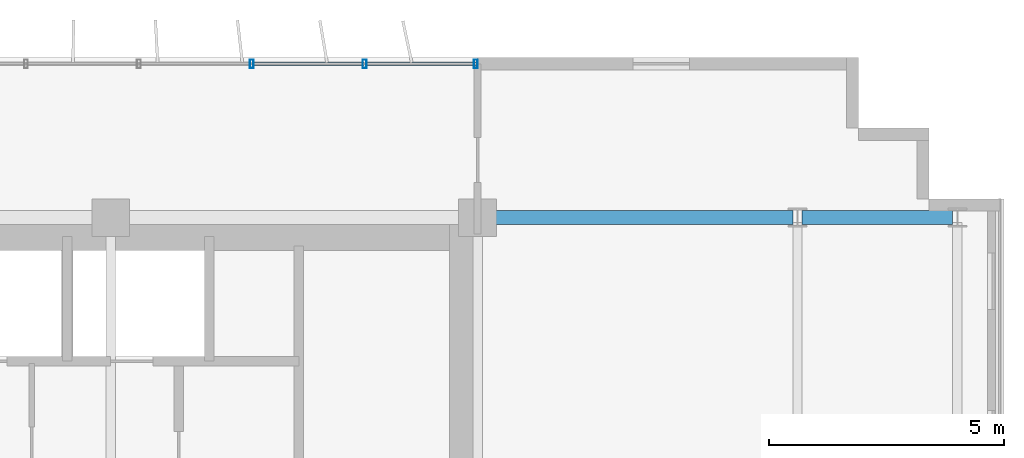
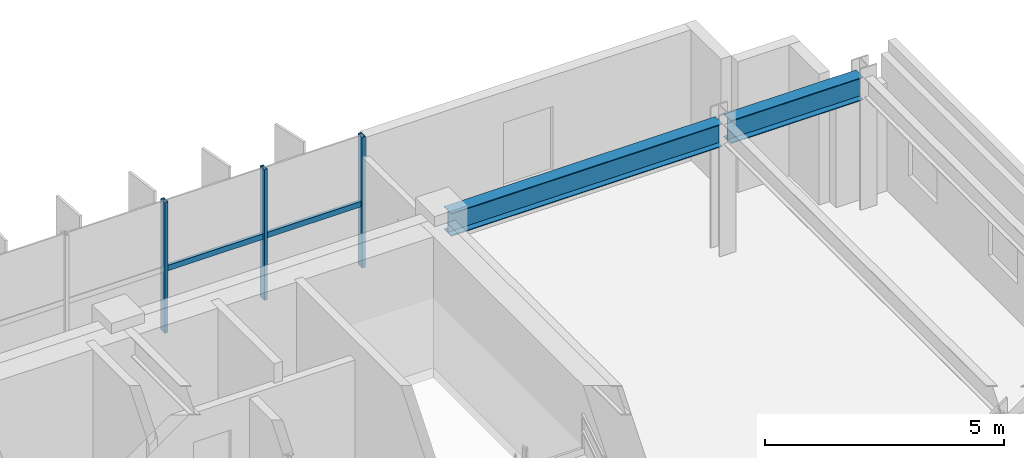
# One storey, part 11 of 22: 5 members, 2 beams, 1 element without a shape of its own.
"""IFC4 building model written with IfcOpenShell, lengths in metres."""

import ifcopenshell
import ifcopenshell.guid

model = None  # the IFC model being written
_history = None  # IfcOwnerHistory: only IFC2X3 demands one
_inside = {}  # id of a spatial element -> (the spatial element, [elements in it])
_under = {}  # id of a project, library or spatial element -> (it, [spatial elements below it])
_declared = {}  # id of a project -> (the project, [libraries it declares])
_typed = {}  # id of a type object -> (the type object, [elements of that type])
_made_of = {}  # id of a material, layer set ... -> (it, [elements and type objects made of it])


def new_model(schema):
    """Start an empty IFC model of exactly this schema.

    Asked for "IFC4X3", IfcOpenShell would pick the latest addendum, in which some entities
    have other attributes; the version numbers below select the first issue.
    IFC2X3 requires an IfcOwnerHistory on every rooted entity: one is made here for all.
    """
    global model, _history
    if schema == "IFC4X3":
        model = ifcopenshell.file(schema_version=(4, 3, 0, 0))
    else:
        model = ifcopenshell.file(schema=schema)
    _inside.clear()
    _under.clear()
    _declared.clear()
    _typed.clear()
    _made_of.clear()
    _history = None
    if model.schema == "IFC2X3":
        org = make("IfcOrganization", Name="unknown")
        user = make(
            "IfcPersonAndOrganization",
            ThePerson=make("IfcPerson", FamilyName="unknown"),
            TheOrganization=org,
        )
        app = make(
            "IfcApplication",
            ApplicationDeveloper=org,
            Version="unknown",
            ApplicationFullName="unknown",
            ApplicationIdentifier="unknown",
        )
        _history = make(
            "IfcOwnerHistory",
            OwningUser=user,
            OwningApplication=app,
            ChangeAction="ADDED",
            CreationDate=0,
        )
    return model


def make(cls, **values):
    """One entity of the class cls with the attributes given. An attribute that is None is left unset."""
    return model.create_entity(
        cls, **{name: value for name, value in values.items() if value is not None}
    )


def rooted(cls, **values):
    """An entity with a GlobalId (a new one), such as an element, a storey or a relation."""
    return make(cls, GlobalId=ifcopenshell.guid.new(), OwnerHistory=_history, **values)


def si_unit(unit_type, name, prefix=None):
    """IfcSIUnit, for example si_unit("LENGTHUNIT", "METRE", prefix="MILLI")."""
    return make("IfcSIUnit", UnitType=unit_type, Prefix=prefix, Name=name)


def assignment(units):
    """IfcUnitAssignment: the units of a project."""
    return None if units is None else make("IfcUnitAssignment", Units=units)


def point(xyz):
    """IfcCartesianPoint."""
    return None if xyz is None else make("IfcCartesianPoint", Coordinates=xyz)


def direction(xyz):
    """IfcDirection."""
    return None if xyz is None else make("IfcDirection", DirectionRatios=xyz)


def frame(location, z_axis=None, x_axis=None):
    """IfcAxis2Placement3D, a coordinate frame: its origin and axes. An axis left out is left unset."""
    return make(
        "IfcAxis2Placement3D",
        Location=point(location),
        Axis=direction(z_axis),
        RefDirection=direction(x_axis),
    )


def frame_2d(location, x_axis=None):
    """IfcAxis2Placement2D, a coordinate frame in the plane: its origin and x axis."""
    return make(
        "IfcAxis2Placement2D", Location=point(location), RefDirection=direction(x_axis)
    )


def origin():
    """The frame at (0, 0, 0) with its axes left unset."""
    return frame((0.0, 0.0, 0.0))


def origin_2d():
    """The frame at (0, 0) in the plane with its x axis left unset."""
    return frame_2d((0.0, 0.0))


def place(relative_to, where):
    """IfcLocalPlacement: puts the frame where relative to a parent placement (None: the world)."""
    return make(
        "IfcLocalPlacement", PlacementRelTo=relative_to, RelativePlacement=where
    )


def context(
    kind, dimensions, precision=None, world=None, true_north=None, identifier=None
):
    """IfcGeometricRepresentationContext, for example the 3D "Model" context."""
    return make(
        "IfcGeometricRepresentationContext",
        ContextIdentifier=identifier,
        ContextType=kind,
        CoordinateSpaceDimension=dimensions,
        Precision=precision,
        WorldCoordinateSystem=world,
        TrueNorth=true_north,
    )


def subcontext(parent, identifier, kind, view, scale=None):
    """IfcGeometricRepresentationSubContext, for example "Body" below "Model"."""
    return make(
        "IfcGeometricRepresentationSubContext",
        ContextIdentifier=identifier,
        ContextType=kind,
        ParentContext=parent,
        TargetScale=scale,
        TargetView=view,
    )


def project(units=None, contexts=None):
    """IfcProject with its units and contexts."""
    return rooted(
        "IfcProject",
        Name="project",
        RepresentationContexts=contexts,
        UnitsInContext=assignment(units),
    )


def spatial(cls, under=None, at=None, **own):
    """A site, building, storey or space (cls), placed at a placement, below another one or the project."""
    s = rooted(cls, ObjectPlacement=at, **own)
    if under is not None:
        _under.setdefault(under.id(), (under, []))[1].append(s)
    return s


def profile(cls, at=None, kind="AREA", **sizes):
    """A parametric profile (cls). Its sizes go by their IFC names, for example OverallWidth=200.0."""
    return make(cls, ProfileType=kind, Position=at, **sizes)


def hollow_rectangle(**sizes):
    """IfcRectangleHollowProfileDef."""
    return profile("IfcRectangleHollowProfileDef", **sizes)


def i_section(**sizes):
    """IfcIShapeProfileDef."""
    return profile("IfcIShapeProfileDef", **sizes)


def extrude(swept, where, along, depth):
    """IfcExtrudedAreaSolid: the profile swept, set in the frame where, extruded along a direction by depth."""
    return make(
        "IfcExtrudedAreaSolid",
        SweptArea=swept,
        Position=where,
        ExtrudedDirection=direction(along),
        Depth=depth,
    )


def shape(context_of_items, identifier, shape_type, items):
    """IfcShapeRepresentation: the items that make up one representation, for example the "Body"."""
    return make(
        "IfcShapeRepresentation",
        ContextOfItems=context_of_items,
        RepresentationIdentifier=identifier,
        RepresentationType=shape_type,
        Items=items,
    )


def source(mapping_origin, context_of_items, identifier, shape_type, items):
    """IfcRepresentationMap: a shape defined once, which mapped items show again and again."""
    return make(
        "IfcRepresentationMap",
        MappingOrigin=mapping_origin,
        MappedRepresentation=shape(context_of_items, identifier, shape_type, items),
    )


def transform(
    local_origin,
    x_axis=None,
    y_axis=None,
    z_axis=None,
    scale=None,
    scale2=None,
    scale3=None,
    uniform=True,
):
    """IfcCartesianTransformationOperator3D, or its non-uniform kind. x_axis, y_axis, z_axis: its Axis1, 2, 3."""
    if uniform:
        return make(
            "IfcCartesianTransformationOperator3D",
            Axis1=direction(x_axis),
            Axis2=direction(y_axis),
            LocalOrigin=point(local_origin),
            Scale=scale,
            Axis3=direction(z_axis),
        )
    return make(
        "IfcCartesianTransformationOperator3DnonUniform",
        Axis1=direction(x_axis),
        Axis2=direction(y_axis),
        LocalOrigin=point(local_origin),
        Scale=scale,
        Axis3=direction(z_axis),
        Scale2=scale2,
        Scale3=scale3,
    )


def mapped(mapping_source, mapping_target):
    """IfcMappedItem: shows the shape of a source again, moved by a transform."""
    return make(
        "IfcMappedItem", MappingSource=mapping_source, MappingTarget=mapping_target
    )


def material(Name=None, Category=None):
    """IfcMaterial."""
    return make("IfcMaterial", Name=Name, Category=Category)


def material_profile(
    of_material, cross_section, Name=None, Category=None, Priority=None
):
    """IfcMaterialProfile: a cross section and its material."""
    return make(
        "IfcMaterialProfile",
        Name=Name,
        Material=of_material,
        Profile=cross_section,
        Priority=Priority,
        Category=Category,
    )


def profile_set(profiles, Name=None, composite=None):
    """IfcMaterialProfileSet."""
    return make(
        "IfcMaterialProfileSet",
        Name=Name,
        MaterialProfiles=profiles,
        CompositeProfile=composite,
    )


def made_of(thing, what):
    """Note that an element or type object is made of a material, layer set ...; save() writes the relation."""
    if what is not None:
        _made_of.setdefault(what.id(), (what, []))[1].append(thing)
    return thing


def type_object(cls, material=None, **own):
    """A type object (cls), such as IfcWallType, which elements share."""
    return made_of(rooted(cls, **own), material)


def element(
    cls,
    number,
    at=None,
    inside=None,
    cuts=None,
    type_object=None,
    material=None,
    context=None,
    identifier="Body",
    shape_type=None,
    held_by="IfcProductDefinitionShape",
    body=None,
    shapes=None,
    **own,
):
    """One element of the class cls, such as IfcWall. Its Tag is "e" and its number.

    at: its placement. inside: the storey or other place that contains it. cuts: it is an
    opening in that element (IfcRelVoidsElement). A single representation is given by context,
    identifier, shape_type and body (its items); several are given by shapes. held_by: the class
    of the entity that holds the representations. save() writes the other relations.
    """
    e = rooted(cls, Tag="e%d" % number, ObjectPlacement=at, **own)
    if body is not None:
        shapes = [shape(context, identifier, shape_type, body)]
    if shapes is not None:
        e.Representation = make(held_by, Representations=shapes)
    if inside is not None:
        _inside.setdefault(inside.id(), (inside, []))[1].append(e)
    if cuts is not None:
        rooted(
            "IfcRelVoidsElement", RelatingBuildingElement=cuts, RelatedOpeningElement=e
        )
    if type_object is not None:
        _typed.setdefault(type_object.id(), (type_object, []))[1].append(e)
    return made_of(e, material)


def aggregate(whole, parts):
    """IfcRelAggregates: a whole, such as a stair, and the parts it consists of."""
    return rooted("IfcRelAggregates", RelatingObject=whole, RelatedObjects=parts)


def save(model, path):
    """Write the relations noted so far, then the file.

    IfcRelAggregates (storeys below a building ...), IfcRelContainedInSpatialStructure (elements
    in a storey), IfcRelDefinesByType, IfcRelAssociatesMaterial and IfcRelDeclares: one each for
    every whole, place, type object, material and project.
    """
    for whole, parts in _under.values():
        aggregate(whole, parts)
    for where, things in _inside.values():
        rooted(
            "IfcRelContainedInSpatialStructure",
            RelatedElements=things,
            RelatingStructure=where,
        )
    for kind, things in _typed.values():
        rooted("IfcRelDefinesByType", RelatedObjects=things, RelatingType=kind)
    for what, things in _made_of.values():
        rooted("IfcRelAssociatesMaterial", RelatedObjects=things, RelatingMaterial=what)
    for by, libraries in _declared.values():
        rooted("IfcRelDeclares", RelatingContext=by, RelatedDefinitions=libraries)
    model.write(path)


model = new_model("IFC4")

# Units and contexts
model_context = context("Model", 3, precision=1e-05, world=origin(), true_north=direction((0.0, 1.0)))
body_context = subcontext(model_context, "Body", "Model", "MODEL_VIEW")
ifc_project = project(units=[si_unit("LENGTHUNIT", "METRE"), si_unit("AREAUNIT", "SQUARE_METRE"), si_unit("VOLUMEUNIT", "CUBIC_METRE"), si_unit("PLANEANGLEUNIT", "RADIAN"), si_unit("MASSUNIT", "GRAM", prefix="KILO")], contexts=[model_context])

# Site, building, storey
site_placement = place(None, origin())
site = spatial("IfcSite", under=ifc_project, at=site_placement, CompositionType="ELEMENT")
building_placement = place(site_placement, origin())
building = spatial("IfcBuilding", under=site, at=building_placement, Name="Trelvane Seafront Commons", CompositionType="ELEMENT")
storey_placement = place(building_placement, frame((0.0, 0.0, 96.10009765625)))
storey = spatial("IfcBuildingStorey", under=building, at=storey_placement, Name="L24", CompositionType="ELEMENT", Elevation=96.10009765625)

# Beams
ifc_material_1 = material(Name="Steel SM355 (S355)", Category="steel")
ifc_material_profile_1 = material_profile(ifc_material_1, i_section(OverallWidth=0.300048828125, OverallDepth=0.587890625, WebThickness=0.011962890625, FlangeThickness=0.02001953125, at=origin_2d()), Name="H-588x300x12x20")
ifc_profile_set_1 = profile_set([ifc_material_profile_1], Name="Steel SM355 (S355)")
beam_type = type_object("IfcBeamType", Name="STR-BM-H588", PredefinedType="BEAM", material=ifc_profile_set_1)
shared_shape_1 = source(origin(), body_context, "Body", "SweptSolid", [
    extrude(i_section(OverallWidth=0.300048828125, OverallDepth=0.587890625, WebThickness=0.011962890625, FlangeThickness=0.02001953125, at=origin_2d()), origin(), (0.0, 0.0, 1.0), 3.199951171875),
])
beam_1_placement = place(storey_placement, frame((65.699951171875, 45.10009765625, 3.0458984375), z_axis=(1.0, 0.0, 0.0), x_axis=(0.0, 1.0, 0.0)))
element("IfcBeam", 1, at=beam_1_placement, inside=storey, type_object=beam_type, Name="L24 Primary Girder G-36", PredefinedType="BEAM", context=body_context, shape_type="MappedRepresentation", body=[
    mapped(shared_shape_1, transform((0.0, 0.0, 0.0), x_axis=(1.0, 0.0, 0.0), y_axis=(0.0, 1.0, 0.0), z_axis=(0.0, 0.0, 1.0), scale=1.0)),
])
shared_shape_2 = source(origin(), body_context, "Body", "SweptSolid", [
    extrude(i_section(OverallWidth=0.300048828125, OverallDepth=0.587890625, WebThickness=0.011962890625, FlangeThickness=0.02001953125, at=origin_2d()), origin(), (0.0, 0.0, 1.0), 6.550048828125),
])
beam_2_placement = place(storey_placement, frame((58.949951171875, 45.10009765625, 3.0458984375), z_axis=(1.0, 0.0, 0.0), x_axis=(0.0, 1.0, 0.0)))
element("IfcBeam", 2, at=beam_2_placement, inside=storey, type_object=beam_type, Name="L24 Primary Girder G-35", PredefinedType="BEAM", context=body_context, shape_type="MappedRepresentation", body=[
    mapped(shared_shape_2, transform((0.0, 0.0, 0.0), x_axis=(1.0, 0.0, 0.0), y_axis=(0.0, 1.0, 0.0), z_axis=(0.0, 0.0, 1.0), scale=1.0)),
])

# Curtain wall, members
ifc_material_2 = material(Name="Anodised pale-silver aluminium", Category="aluminium")
curtain_wall_type = type_object("IfcCurtainWallType", Name="ARCH-CW4-SKYLOBBY", PredefinedType="NOTDEFINED", material=ifc_material_2)
curtain_wall_placement = place(storey_placement, origin())
curtain_wall = element("IfcCurtainWall", 3, at=curtain_wall_placement, inside=storey, type_object=curtain_wall_type, Name="CW-L24-0049", PredefinedType="NOTDEFINED")
ifc_material_profile_2 = material_profile(ifc_material_2, hollow_rectangle(XDim=0.074951171875, YDim=0.139892578125, WallThickness=0.00390625, at=origin_2d()), Name="TRAN-75x140x4")
ifc_profile_set_2 = profile_set([ifc_material_profile_2], Name="Anodised pale-silver aluminium")
member_type_1 = type_object("IfcMemberType", Name="ARCH-CW-TRAN-140", PredefinedType="USERDEFINED", material=ifc_profile_set_2)
shared_shape_3 = source(origin(), body_context, "Body", "SweptSolid", [
    extrude(hollow_rectangle(XDim=0.074951171875, YDim=0.139892578125, WallThickness=0.00390625, at=origin_2d()), origin(), (0.0, 0.0, 1.0), 2.3759765625),
])
member_1_placement = place(storey_placement, frame((54.011962890625, 48.3701171875, 1.602783203125), z_axis=(1.0, 0.0, 0.0), x_axis=(0.0, 1.0, 0.0)))
member_1 = element("IfcMember", 4, at=member_1_placement, type_object=member_type_1, Name="CW-L24-0049-T16", ObjectType="TRANSOM", PredefinedType="USERDEFINED", context=body_context, shape_type="MappedRepresentation", body=[
    mapped(shared_shape_3, transform((0.0, 0.0, 0.0), x_axis=(1.0, 0.0, 0.0), y_axis=(0.0, 1.0, 0.0), z_axis=(0.0, 0.0, 1.0), scale=1.0)),
])
member_2_placement = place(storey_placement, frame((56.412109375, 48.3701171875, 1.602783203125), z_axis=(1.0, 0.0, 0.0), x_axis=(0.0, 1.0, 0.0)))
member_2 = element("IfcMember", 5, at=member_2_placement, type_object=member_type_1, Name="CW-L24-0049-T17", ObjectType="TRANSOM", PredefinedType="USERDEFINED", context=body_context, shape_type="MappedRepresentation", body=[
    mapped(shared_shape_3, transform((0.0, 0.0, 0.0), x_axis=(1.0, 0.0, 0.0), y_axis=(0.0, 1.0, 0.0), z_axis=(0.0, 0.0, 1.0), scale=1.0)),
])
ifc_material_profile_3 = material_profile(ifc_material_2, hollow_rectangle(XDim=0.080078125, YDim=0.179931640625, WallThickness=0.00439453125, at=origin_2d()), Name="MULL-80x180x4.5")
ifc_profile_set_3 = profile_set([ifc_material_profile_3], Name="Anodised pale-silver aluminium")
member_type_2 = type_object("IfcMemberType", Name="ARCH-CW-MULL-180", PredefinedType="MULLION", material=ifc_profile_set_3)
shared_shape_4 = source(origin(), body_context, "Body", "SweptSolid", [
    extrude(hollow_rectangle(XDim=0.080078125, YDim=0.179931640625, WallThickness=0.00439453125, at=origin_2d()), origin(), (0.0, 0.0, 1.0), 3.33984375),
])
member_3_placement = place(storey_placement, frame((54.0, 48.3701171875, 0.0), z_axis=(0.0, 0.0, 1.0), x_axis=(1.0, 0.0, 0.0)))
member_3 = element("IfcMember", 6, at=member_3_placement, type_object=member_type_2, Name="CW-L24-0049-M16", PredefinedType="MULLION", context=body_context, shape_type="MappedRepresentation", body=[
    mapped(shared_shape_4, transform((0.0, 0.0, 0.0), x_axis=(1.0, 0.0, 0.0), y_axis=(0.0, 1.0, 0.0), z_axis=(0.0, 0.0, 1.0), scale=1.0)),
])
member_4_placement = place(storey_placement, frame((56.39990234375, 48.3701171875, 0.0), z_axis=(0.0, 0.0, 1.0), x_axis=(1.0, 0.0, 0.0)))
member_4 = element("IfcMember", 7, at=member_4_placement, type_object=member_type_2, Name="CW-L24-0049-M17", PredefinedType="MULLION", context=body_context, shape_type="MappedRepresentation", body=[
    mapped(shared_shape_4, transform((0.0, 0.0, 0.0), x_axis=(1.0, 0.0, 0.0), y_axis=(0.0, 1.0, 0.0), z_axis=(0.0, 0.0, 1.0), scale=1.0)),
])
member_5_placement = place(storey_placement, frame((58.760009765625, 48.3701171875, 0.0), z_axis=(0.0, 0.0, 1.0), x_axis=(1.0, 0.0, 0.0)))
member_5 = element("IfcMember", 8, at=member_5_placement, type_object=member_type_2, Name="CW-L24-0049-M18", PredefinedType="MULLION", context=body_context, shape_type="MappedRepresentation", body=[
    mapped(shared_shape_4, transform((0.0, 0.0, 0.0), x_axis=(1.0, 0.0, 0.0), y_axis=(0.0, 1.0, 0.0), z_axis=(0.0, 0.0, 1.0), scale=1.0)),
])
aggregate(curtain_wall, [member_3, member_4, member_5, member_1, member_2])

save(model, "model.ifc")
